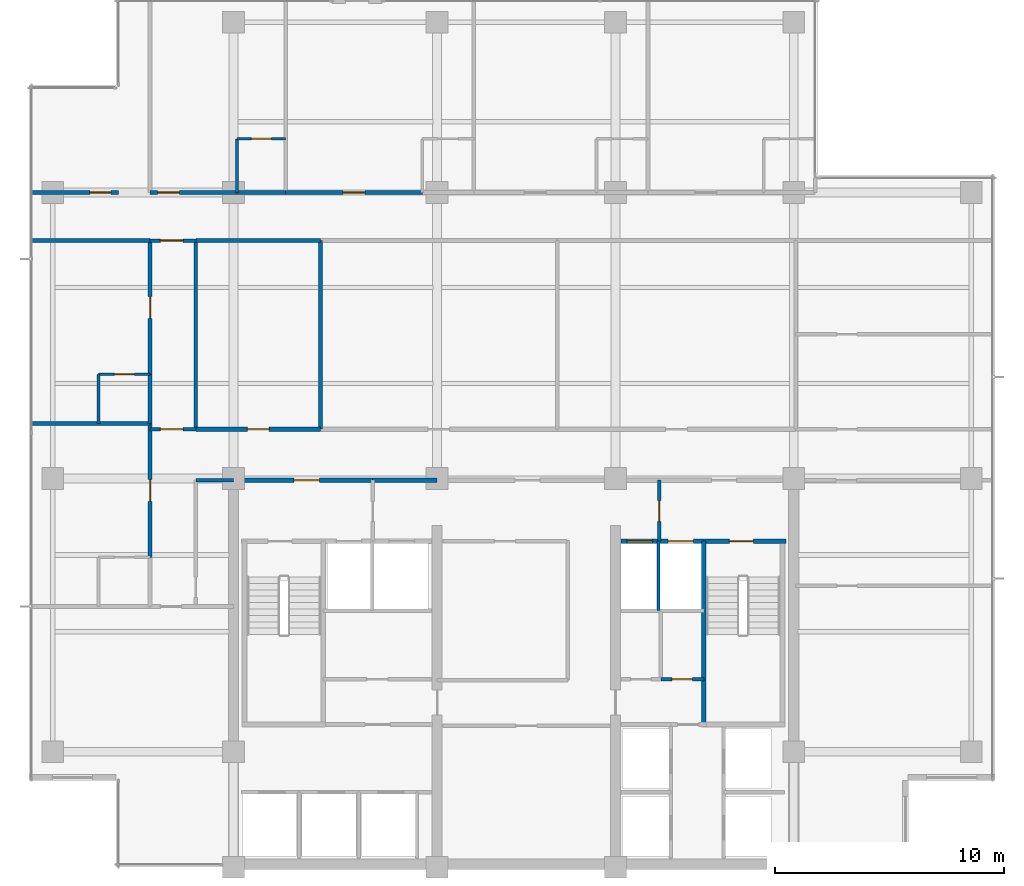
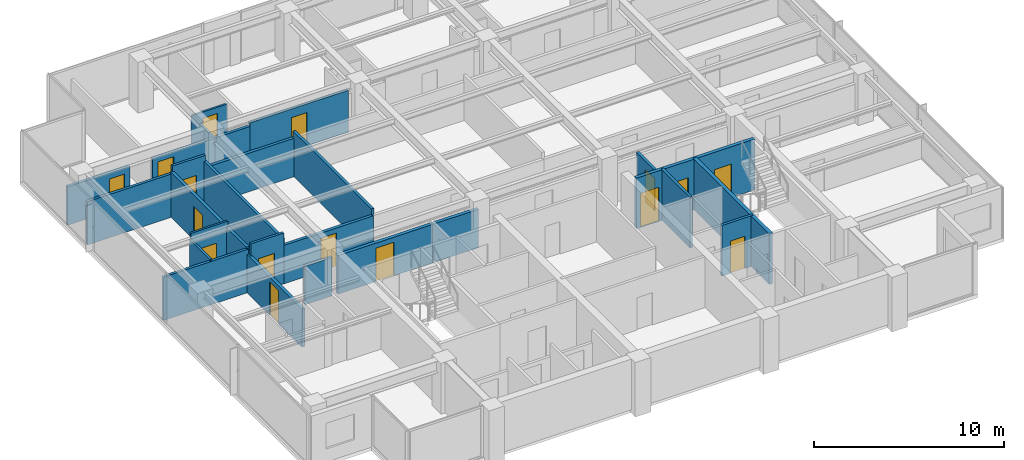
# One storey, part 8 of 14: 27 walls, 16 doors, 16 openings.
"""IFC4 building model written with IfcOpenShell, lengths in metres."""

from ifc_helpers import new_model, si_unit, direction, frame, frame_2d, origin, place, context, subcontext, project, spatial, rectangle, extrude, material, layer, layer_set, type_object, element, fill, save


model = new_model("IFC4")

# Units and contexts
model_context = context("Model", 3, precision=1e-05, world=origin(), true_north=direction((0.0, 1.0)))
body_context = subcontext(model_context, "Body", "Model", "MODEL_VIEW")
ifc_project = project(units=[si_unit("LENGTHUNIT", "METRE"), si_unit("AREAUNIT", "SQUARE_METRE"), si_unit("VOLUMEUNIT", "CUBIC_METRE"), si_unit("PLANEANGLEUNIT", "RADIAN"), si_unit("MASSUNIT", "GRAM", prefix="KILO")], contexts=[model_context])

# Site, building, storey
site_placement = place(None, origin())
site = spatial("IfcSite", under=ifc_project, at=site_placement, CompositionType="ELEMENT")
building_placement = place(site_placement, origin())
building = spatial("IfcBuilding", under=site, at=building_placement, Name="Qalmaran Belvedere Hotel", CompositionType="ELEMENT")
storey_placement = place(building_placement, frame((0.0, 0.0, 207.39990234375)))
storey = spatial("IfcBuildingStorey", under=building, at=storey_placement, Name="L52", CompositionType="ELEMENT", Elevation=207.39990234375)

# Wall, opening, door
ifc_material_1 = material(Name="Moisture-Resistant Gypsum")
ifc_layer_1 = layer(ifc_material_1, 0.1201171875, Name="Moisture-Resistant Gypsum")
ifc_layer_set_1 = layer_set([ifc_layer_1], Name="Moisture-Resistant Gypsum")
wall_type_1 = type_object("IfcWallType", Name="WL-INT-120-BATH", PredefinedType="PARTITIONING", material=ifc_layer_set_1)
wall_1_placement = place(storey_placement, frame((20.450439453125, 35.35009765625, 0.0), z_axis=(0.0, 0.0, 1.0), x_axis=(1.0, 0.0, 0.0)))
wall_1 = element("IfcWall", 1, at=wall_1_placement, inside=storey, type_object=wall_type_1, Name="L52 Partition WL-L52-NBN00", PredefinedType="PARTITIONING", context=body_context, shape_type="SweptSolid", body=[
    extrude(rectangle(XDim=2.1298828125, YDim=0.1201171875, at=frame_2d((1.06494140625, 0.0))), origin(), (0.0, 0.0, 1.0), 2.47216796875),
])
opening_1_placement = place(wall_1_placement, frame((1.5048828125, 0.0, 0.0), z_axis=(0.0, 0.0, 1.0), x_axis=(-1.0, 0.0, 0.0)))
opening_1 = element("IfcOpeningElement", 2, at=opening_1_placement, cuts=wall_1, Name="Opening D-BATH", PredefinedType="OPENING", context=body_context, shape_type="SweptSolid", body=[
    extrude(rectangle(XDim=0.8798828125, YDim=2.080078125, at=frame_2d((0.43994140625, 1.0400390625))), frame((0.0, 0.070068359375, 0.0), z_axis=(0.0, -1.0, 0.0), x_axis=(1.0, 0.0, 0.0)), (0.0, 0.0, 1.0), 0.14013671875),
])
ifc_material_2 = material(Name="Engineered Oak Veneer")
door_type_1 = type_object("IfcDoorType", Name="DR-INT-BATH-880X2080", OperationType="NOTDEFINED", PredefinedType="DOOR", material=ifc_material_2)
door_1_placement = place(opening_1_placement, origin())
door_1 = element("IfcDoor", 3, at=door_1_placement, inside=storey, type_object=door_type_1, Name="L52 Ensuite Bathroom Door N01", OperationType="SINGLE_SWING_LEFT", OverallHeight=2.080078125, OverallWidth=0.8798828125, PredefinedType="DOOR", context=body_context, shape_type="SweptSolid", body=[
    extrude(rectangle(XDim=0.8798828125, YDim=2.080078125, at=frame_2d((0.43994140625, 1.0400390625))), frame((0.0, 0.02490234375, 0.0), z_axis=(0.0, -1.0, 0.0), x_axis=(1.0, 0.0, 0.0)), (0.0, 0.0, 1.0), 0.050048828125),
])
fill(opening_1, door_1)

# Wall
wall_2_placement = place(storey_placement, frame((20.450439453125, 33.0, 0.0), z_axis=(0.0, 0.0, 1.0), x_axis=(0.0, 1.0, 0.0)))
element("IfcWall", 4, at=wall_2_placement, inside=storey, type_object=wall_type_1, Name="L52 Partition WL-L52-NBS00", PredefinedType="PARTITIONING", context=body_context, shape_type="SweptSolid", body=[
    extrude(rectangle(XDim=2.35009765625, YDim=0.1201171875, at=frame_2d((1.175048828125, 0.0))), origin(), (0.0, 0.0, 1.0), 2.47216796875),
])

# Wall, opening, door
wall_3_placement = place(storey_placement, frame((14.39990234375, 25.050048828125, 0.0), z_axis=(0.0, 0.0, 1.0), x_axis=(1.0, 0.0, 0.0)))
wall_3 = element("IfcWall", 5, at=wall_3_placement, inside=storey, type_object=wall_type_1, Name="L52 Partition WL-L52-WBN01", PredefinedType="PARTITIONING", context=body_context, shape_type="SweptSolid", body=[
    extrude(rectangle(XDim=2.25, YDim=0.1201171875, at=frame_2d((1.125, 0.0))), origin(), (0.0, 0.0, 1.0), 3.260009765625),
])
opening_2_placement = place(wall_3_placement, frame((1.56494140625, 0.0, 0.0), z_axis=(0.0, 0.0, 1.0), x_axis=(-1.0, 0.0, 0.0)))
opening_2 = element("IfcOpeningElement", 6, at=opening_2_placement, cuts=wall_3, Name="Opening D-BATH", PredefinedType="OPENING", context=body_context, shape_type="SweptSolid", body=[
    extrude(rectangle(XDim=0.8798828125, YDim=2.080078125, at=frame_2d((0.43994140625, 1.0400390625))), frame((0.0, 0.070068359375, 0.0), z_axis=(0.0, -1.0, 0.0), x_axis=(1.0, 0.0, 0.0)), (0.0, 0.0, 1.0), 0.14013671875),
])
door_2_placement = place(opening_2_placement, origin())
door_2 = element("IfcDoor", 7, at=door_2_placement, inside=storey, type_object=door_type_1, Name="L52 W Ensuite Door 02", OperationType="SINGLE_SWING_LEFT", OverallHeight=2.080078125, OverallWidth=0.8798828125, PredefinedType="DOOR", context=body_context, shape_type="SweptSolid", body=[
    extrude(rectangle(XDim=0.8798828125, YDim=2.080078125, at=frame_2d((0.43994140625, 1.0400390625))), frame((0.0, 0.02490234375, 0.0), z_axis=(0.0, -1.0, 0.0), x_axis=(1.0, 0.0, 0.0)), (0.0, 0.0, 1.0), 0.050048828125),
])
fill(opening_2, door_2)

# Walls
wall_4_placement = place(storey_placement, frame((14.39990234375, 22.89990234375, 0.0), z_axis=(0.0, 0.0, 1.0), x_axis=(0.0, 1.0, 0.0)))
element("IfcWall", 8, at=wall_4_placement, inside=storey, type_object=wall_type_1, Name="L52 Partition WL-L52-WBS01", PredefinedType="PARTITIONING", context=body_context, shape_type="SweptSolid", body=[
    extrude(rectangle(XDim=2.150146484375, YDim=0.1201171875, at=frame_2d((1.0751953125, 0.0))), origin(), (0.0, 0.0, 1.0), 2.88720703125),
])
ifc_material_3 = material(Name="Gypsum Stud Partition")
ifc_layer_2 = layer(ifc_material_3, 0.14990234375, Name="Gypsum Stud Partition")
ifc_layer_set_2 = layer_set([ifc_layer_2], Name="Gypsum Stud Partition")
wall_type_2 = type_object("IfcWallType", Name="WL-INT-150-EI120", PredefinedType="PARTITIONING", material=ifc_layer_set_2)
wall_5_placement = place(storey_placement, frame((38.8798828125, 14.719970703125, 0.0), z_axis=(0.0, 0.0, 1.0), x_axis=(0.0, 1.0, 0.0)))
element("IfcWall", 9, at=wall_5_placement, inside=storey, type_object=wall_type_2, Name="L52 Partition WL-FF2M-L52", PredefinedType="PARTITIONING", context=body_context, shape_type="SweptSolid", body=[
    extrude(rectangle(XDim=3.0400390625, YDim=0.14990234375, at=frame_2d((1.52001953125, 0.0))), origin(), (0.0, 0.0, 1.0), 3.260009765625),
])

# Wall, opening, door
ifc_layer_3 = layer(ifc_material_3, 0.14990234375, Name="Gypsum Stud Partition")
ifc_layer_set_3 = layer_set([ifc_layer_3], Name="Gypsum Stud Partition")
wall_type_3 = type_object("IfcWallType", Name="WL-INT-150-EI60", PredefinedType="PARTITIONING", material=ifc_layer_set_3)
wall_6_placement = place(storey_placement, frame((16.64990234375, 22.64990234375, 0.0), z_axis=(0.0, 0.0, 1.0), x_axis=(1.0, 0.0, 0.0)))
wall_6 = element("IfcWall", 10, at=wall_6_placement, inside=storey, type_object=wall_type_3, Name="L52 Partition WL-L52-XCW1", PredefinedType="PARTITIONING", context=body_context, shape_type="SweptSolid", body=[
    extrude(rectangle(XDim=2.0, YDim=0.14990234375, at=frame_2d((1.0, 0.0))), origin(), (0.0, 0.0, 1.0), 3.260009765625),
])
opening_3_placement = place(wall_6_placement, frame((0.449951171875, 0.0, 0.0)))
opening_3 = element("IfcOpeningElement", 11, at=opening_3_placement, cuts=wall_6, Name="Opening FD90B", PredefinedType="OPENING", context=body_context, shape_type="SweptSolid", body=[
    extrude(rectangle(XDim=1.0, YDim=2.14990234375, at=frame_2d((0.5, 1.074951171875))), frame((0.0, 0.0849609375, 0.0), z_axis=(0.0, -1.0, 0.0), x_axis=(1.0, 0.0, 0.0)), (0.0, 0.0, 1.0), 0.169921875),
])
ifc_material_4 = material(Name="Steel S355JR", Category="steel")
door_type_2 = type_object("IfcDoorType", Name="DR-FD90B-1000X2150", OperationType="NOTDEFINED", PredefinedType="DOOR", material=ifc_material_4)
door_3_placement = place(opening_3_placement, origin())
door_3 = element("IfcDoor", 12, at=door_3_placement, inside=storey, type_object=door_type_2, Name="L52 West Corridor Smoke Door S", OperationType="SINGLE_SWING_RIGHT", OverallHeight=2.14990234375, OverallWidth=1.0, PredefinedType="DOOR", context=body_context, shape_type="SweptSolid", body=[
    extrude(rectangle(XDim=1.0, YDim=2.14990234375, at=frame_2d((0.5, 1.074951171875))), frame((0.0, 0.02490234375, 0.0), z_axis=(0.0, -1.0, 0.0), x_axis=(1.0, 0.0, 0.0)), (0.0, 0.0, 1.0), 0.050048828125),
])
fill(opening_3, door_3)

wall_7_placement = place(storey_placement, frame((16.64990234375, 30.89990234375, 0.0), z_axis=(0.0, 0.0, 1.0), x_axis=(1.0, 0.0, 0.0)))
wall_7 = element("IfcWall", 13, at=wall_7_placement, inside=storey, type_object=wall_type_3, Name="L52 Partition WL-L52-XCW2", PredefinedType="PARTITIONING", context=body_context, shape_type="SweptSolid", body=[
    extrude(rectangle(XDim=2.0, YDim=0.14990234375, at=frame_2d((1.0, 0.0))), origin(), (0.0, 0.0, 1.0), 3.260009765625),
])
opening_4_placement = place(wall_7_placement, frame((0.449951171875, 0.0, 0.0)))
opening_4 = element("IfcOpeningElement", 14, at=opening_4_placement, cuts=wall_7, Name="Opening FD90B", PredefinedType="OPENING", context=body_context, shape_type="SweptSolid", body=[
    extrude(rectangle(XDim=1.0, YDim=2.14990234375, at=frame_2d((0.5, 1.074951171875))), frame((0.0, 0.0849609375, 0.0), z_axis=(0.0, -1.0, 0.0), x_axis=(1.0, 0.0, 0.0)), (0.0, 0.0, 1.0), 0.169921875),
])
door_4_placement = place(opening_4_placement, origin())
door_4 = element("IfcDoor", 15, at=door_4_placement, inside=storey, type_object=door_type_2, Name="L52 West Corridor Smoke Door N", OperationType="SINGLE_SWING_LEFT", OverallHeight=2.14990234375, OverallWidth=1.0, PredefinedType="DOOR", context=body_context, shape_type="SweptSolid", body=[
    extrude(rectangle(XDim=1.0, YDim=2.14990234375, at=frame_2d((0.5, 1.074951171875))), frame((0.0, 0.02490234375, 0.0), z_axis=(0.0, -1.0, 0.0), x_axis=(1.0, 0.0, 0.0)), (0.0, 0.0, 1.0), 0.050048828125),
])
fill(opening_4, door_4)

ifc_layer_4 = layer(ifc_material_3, 0.159912109375, Name="Gypsum Stud Partition")
ifc_layer_set_4 = layer_set([ifc_layer_4], Name="Gypsum Stud Partition")
wall_type_4 = type_object("IfcWallType", Name="WL-INT-160-EI120", PredefinedType="PARTITIONING", material=ifc_layer_set_4)
wall_8_placement = place(storey_placement, frame((38.919921875, 17.760009765625, 0.0), z_axis=(0.0, 0.0, 1.0), x_axis=(0.0, 1.0, 0.0)))
wall_8 = element("IfcWall", 16, at=wall_8_placement, inside=storey, type_object=wall_type_4, Name="L52 Partition WL-FFSV2-L52", PredefinedType="PARTITIONING", context=body_context, shape_type="SweptSolid", body=[
    extrude(rectangle(XDim=2.659912109375, YDim=0.159912109375, at=frame_2d((1.330078125, 0.0))), origin(), (0.0, 0.0, 1.0), 2.7060546875),
])
opening_5_placement = place(wall_8_placement, frame((1.77001953125, 0.0, 0.0), z_axis=(0.0, 0.0, 1.0), x_axis=(-1.0, 0.0, 0.0)))
opening_5 = element("IfcOpeningElement", 17, at=opening_5_placement, cuts=wall_8, Name="Opening FD60S1", PredefinedType="OPENING", context=body_context, shape_type="SweptSolid", body=[
    extrude(rectangle(XDim=0.919921875, YDim=2.080078125, at=frame_2d((0.4599609375, 1.0400390625))), frame((0.0, 0.08984375, 0.0), z_axis=(0.0, -1.0, 0.0), x_axis=(1.0, 0.0, 0.0)), (0.0, 0.0, 1.0), 0.179931640625),
])
door_type_3 = type_object("IfcDoorType", Name="DR-FD60S-920X2080", OperationType="NOTDEFINED", PredefinedType="DOOR", material=ifc_material_2)
door_5_placement = place(opening_5_placement, origin())
door_5 = element("IfcDoor", 18, at=door_5_placement, inside=storey, type_object=door_type_3, Name="L52 Service Lobby East Door", OperationType="SINGLE_SWING_LEFT", OverallHeight=2.080078125, OverallWidth=0.919921875, PredefinedType="DOOR", context=body_context, shape_type="SweptSolid", body=[
    extrude(rectangle(XDim=0.919921875, YDim=2.080078125, at=frame_2d((0.4599609375, 1.0400390625))), frame((0.0, 0.02490234375, 0.0), z_axis=(0.0, -1.0, 0.0), x_axis=(1.0, 0.0, 0.0)), (0.0, 0.0, 1.0), 0.050048828125),
])
fill(opening_5, door_5)

ifc_layer_5 = layer(ifc_material_3, 0.159912109375, Name="Gypsum Stud Partition")
ifc_layer_set_5 = layer_set([ifc_layer_5], Name="Gypsum Stud Partition")
wall_type_5 = type_object("IfcWallType", Name="WL-INT-160-EI60", PredefinedType="PARTITIONING", material=ifc_layer_set_5)
wall_9_placement = place(storey_placement, frame((38.98291015625, 11.719970703125, 0.0), z_axis=(0.0, 0.0, 1.0), x_axis=(1.0, 0.0, 0.0)))
wall_9 = element("IfcWall", 19, at=wall_9_placement, inside=storey, type_object=wall_type_5, Name="L52 Partition WL-L52-KEE2", PredefinedType="PARTITIONING", context=body_context, shape_type="SweptSolid", body=[
    extrude(rectangle(XDim=1.877197265625, YDim=0.159912109375, at=frame_2d((0.9384765625, 0.0))), origin(), (0.0, 0.0, 1.0), 3.260009765625),
])
opening_6_placement = place(wall_9_placement, frame((0.49853515625, 0.0, 0.0)))
opening_6 = element("IfcOpeningElement", 20, at=opening_6_placement, cuts=wall_9, Name="Opening FD60B", PredefinedType="OPENING", context=body_context, shape_type="SweptSolid", body=[
    extrude(rectangle(XDim=0.8798828125, YDim=2.080078125, at=frame_2d((0.43994140625, 1.0400390625))), frame((0.0, 0.08984375, 0.0), z_axis=(0.0, -1.0, 0.0), x_axis=(1.0, 0.0, 0.0)), (0.0, 0.0, 1.0), 0.179931640625),
])
door_type_4 = type_object("IfcDoorType", Name="DR-FD60B-880X2080", OperationType="NOTDEFINED", PredefinedType="DOOR", material=ifc_material_4)
door_6_placement = place(opening_6_placement, origin())
door_6 = element("IfcDoor", 21, at=door_6_placement, inside=storey, type_object=door_type_4, Name="L52 Low Voltage Switch Room Door", OperationType="SINGLE_SWING_LEFT", OverallHeight=2.080078125, OverallWidth=0.8798828125, PredefinedType="DOOR", context=body_context, shape_type="SweptSolid", body=[
    extrude(rectangle(XDim=0.8798828125, YDim=2.080078125, at=frame_2d((0.43994140625, 1.0400390625))), frame((0.0, 0.02490234375, 0.0), z_axis=(0.0, -1.0, 0.0), x_axis=(1.0, 0.0, 0.0)), (0.0, 0.0, 1.0), 0.050048828125),
])
fill(opening_6, door_6)

# Walls
wall_10_placement = place(storey_placement, frame((18.64990234375, 20.419921875, 0.0), z_axis=(0.0, 0.0, 1.0), x_axis=(1.0, 0.0, 0.0)))
element("IfcWall", 22, at=wall_10_placement, inside=storey, type_object=wall_type_5, Name="L52 Partition WL-L52-WCLN", PredefinedType="PARTITIONING", context=body_context, shape_type="SweptSolid", body=[
    extrude(rectangle(XDim=1.650146484375, YDim=0.159912109375, at=frame_2d((0.8251953125, 0.0))), origin(), (0.0, 0.0, 1.0), 2.47216796875),
])
for number, where, z_axis, x_axis, name in (
    (23, (18.64990234375, 22.64990234375, 0.0), (0.0, 0.0, 1.0), (0.0, 1.0, 0.0), "L52 Partition WL-L52-MIDVL"),
    (24, (24.10009765625, 22.64990234375, 0.0), (0.0, 0.0, 1.0), (0.0, 1.0, 0.0), "L52 Partition WL-L52-MIDVR1"),
):
    element("IfcWall", number, at=place(storey_placement, frame(where, z_axis=z_axis, x_axis=x_axis)), inside=storey, type_object=wall_type_5, Name=name, PredefinedType="PARTITIONING", context=body_context, shape_type="SweptSolid", body=[
        extrude(rectangle(XDim=8.25, YDim=0.159912109375, at=frame_2d((4.125, 0.0))), origin(), (0.0, 0.0, 1.0), 2.88720703125),
    ])
for number, where, z_axis, x_axis, name in (
    (25, (11.469970703125, 22.89990234375, 0.0), (0.0, 0.0, 1.0), (1.0, 0.0, 0.0), "L52 Partition WL-L52-WU00"),
    (26, (11.469970703125, 30.89990234375, 0.0), (0.0, 0.0, 1.0), (1.0, 0.0, 0.0), "L52 Partition WL-L52-WU01"),
):
    element("IfcWall", number, at=place(storey_placement, frame(where, z_axis=z_axis, x_axis=x_axis)), inside=storey, type_object=wall_type_5, Name=name, PredefinedType="PARTITIONING", context=body_context, shape_type="SweptSolid", body=[
        extrude(rectangle(XDim=5.179931640625, YDim=0.159912109375, at=frame_2d((2.58984375, 0.0))), origin(), (0.0, 0.0, 1.0), 2.781982421875),
    ])

# Wall, opening, door
ifc_layer_6 = layer(ifc_material_3, 0.179931640625, Name="Gypsum Stud Partition")
ifc_layer_set_6 = layer_set([ifc_layer_6], Name="Gypsum Stud Partition")
wall_type_6 = type_object("IfcWallType", Name="WL-INT-180-EI60", PredefinedType="PARTITIONING", material=ifc_layer_set_6)
wall_11_placement = place(storey_placement, frame((18.64990234375, 22.64990234375, 0.0), z_axis=(0.0, 0.0, 1.0), x_axis=(1.0, 0.0, 0.0)))
wall_11 = element("IfcWall", 27, at=wall_11_placement, inside=storey, type_object=wall_type_6, Name="L52 Partition WL-L52-MIDD1", PredefinedType="PARTITIONING", context=body_context, shape_type="SweptSolid", body=[
    extrude(rectangle(XDim=5.4501953125, YDim=0.179931640625, at=frame_2d((2.72509765625, 0.0))), origin(), (0.0, 0.0, 1.0), 2.47216796875),
])
opening_7_placement = place(wall_11_placement, frame((2.25, 0.0, 0.0)))
opening_7 = element("IfcOpeningElement", 28, at=opening_7_placement, cuts=wall_11, Name="Opening FD60", PredefinedType="OPENING", context=body_context, shape_type="SweptSolid", body=[
    extrude(rectangle(XDim=0.949951171875, YDim=2.14990234375, at=frame_2d((0.47509765625, 1.074951171875))), frame((0.0, 0.10009765625, 0.0), z_axis=(0.0, -1.0, 0.0), x_axis=(1.0, 0.0, 0.0)), (0.0, 0.0, 1.0), 0.199951171875),
])
door_type_5 = type_object("IfcDoorType", Name="DR-FD60-950X2150", OperationType="NOTDEFINED", PredefinedType="DOOR", material=ifc_material_2)
door_7_placement = place(opening_7_placement, origin())
door_7 = element("IfcDoor", 29, at=door_7_placement, inside=storey, type_object=door_type_5, Name="L52 Housekeeping and Linen Room Door", OperationType="SINGLE_SWING_RIGHT", OverallHeight=2.14990234375, OverallWidth=0.949951171875, PredefinedType="DOOR", context=body_context, shape_type="SweptSolid", body=[
    extrude(rectangle(XDim=0.949951171875, YDim=2.14990234375, at=frame_2d((0.47509765625, 1.074951171875))), frame((0.0, 0.02490234375, 0.0), z_axis=(0.0, -1.0, 0.0), x_axis=(1.0, 0.0, 0.0)), (0.0, 0.0, 1.0), 0.050048828125),
])
fill(opening_7, door_7)

# Walls
wall_12_placement = place(storey_placement, frame((18.64990234375, 30.89990234375, 0.0), z_axis=(0.0, 0.0, 1.0), x_axis=(1.0, 0.0, 0.0)))
element("IfcWall", 30, at=wall_12_placement, inside=storey, type_object=wall_type_6, Name="L52 Partition WL-L52-MIDO1", PredefinedType="PARTITIONING", context=body_context, shape_type="SweptSolid", body=[
    extrude(rectangle(XDim=5.4501953125, YDim=0.179931640625, at=frame_2d((2.72509765625, 0.0))), origin(), (0.0, 0.0, 1.0), 2.47216796875),
])
wall_13_placement = place(storey_placement, frame((20.450439453125, 33.0, 0.0), z_axis=(0.0, 0.0, 1.0), x_axis=(1.0, 0.0, 0.0)))
element("IfcWall", 31, at=wall_13_placement, inside=storey, type_object=wall_type_6, Name="L52 Partition WL-L52-NBC00", PredefinedType="PARTITIONING", context=body_context, shape_type="SweptSolid", body=[
    extrude(rectangle(XDim=2.1298828125, YDim=0.179931640625, at=frame_2d((1.06494140625, 0.0))), origin(), (0.0, 0.0, 1.0), 2.47216796875),
])

# Wall, opening, door
wall_14_placement = place(storey_placement, frame((16.64990234375, 33.0, 0.0), z_axis=(0.0, 0.0, 1.0), x_axis=(1.0, 0.0, 0.0)))
wall_14 = element("IfcWall", 32, at=wall_14_placement, inside=storey, type_object=wall_type_6, Name="L52 Partition WL-L52-NEC00", PredefinedType="PARTITIONING", context=body_context, shape_type="SweptSolid", body=[
    extrude(rectangle(XDim=3.800537109375, YDim=0.179931640625, at=frame_2d((1.900390625, 0.0))), origin(), (0.0, 0.0, 1.0), 2.47216796875),
])
opening_8_placement = place(wall_14_placement, frame((0.334716796875, 0.0, 0.0)))
opening_8 = element("IfcOpeningElement", 33, at=opening_8_placement, cuts=wall_14, Name="Opening FD60", PredefinedType="OPENING", context=body_context, shape_type="SweptSolid", body=[
    extrude(rectangle(XDim=0.949951171875, YDim=2.14990234375, at=frame_2d((0.47509765625, 1.074951171875))), frame((0.0, 0.10009765625, 0.0), z_axis=(0.0, -1.0, 0.0), x_axis=(1.0, 0.0, 0.0)), (0.0, 0.0, 1.0), 0.199951171875),
])
door_8_placement = place(opening_8_placement, origin())
door_8 = element("IfcDoor", 34, at=door_8_placement, inside=storey, type_object=door_type_5, Name="L52 Guest Entrance Door N01", OperationType="SINGLE_SWING_RIGHT", OverallHeight=2.14990234375, OverallWidth=0.949951171875, PredefinedType="DOOR", context=body_context, shape_type="SweptSolid", body=[
    extrude(rectangle(XDim=0.949951171875, YDim=2.14990234375, at=frame_2d((0.47509765625, 1.074951171875))), frame((0.0, 0.02490234375, 0.0), z_axis=(0.0, -1.0, 0.0), x_axis=(1.0, 0.0, 0.0)), (0.0, 0.0, 1.0), 0.050048828125),
])
fill(opening_8, door_8)

wall_15_placement = place(storey_placement, frame((22.580322265625, 33.0, 0.0), z_axis=(0.0, 0.0, 1.0), x_axis=(1.0, 0.0, 0.0)))
wall_15 = element("IfcWall", 35, at=wall_15_placement, inside=storey, type_object=wall_type_6, Name="L52 Partition WL-L52-NEC01", PredefinedType="PARTITIONING", context=body_context, shape_type="SweptSolid", body=[
    extrude(rectangle(XDim=5.974365234375, YDim=0.179931640625, at=frame_2d((2.9873046875, 0.0))), origin(), (0.0, 0.0, 1.0), 2.7060546875),
])
opening_9_placement = place(wall_15_placement, frame((2.51220703125, 0.0, 0.0)))
opening_9 = element("IfcOpeningElement", 36, at=opening_9_placement, cuts=wall_15, Name="Opening FD60", PredefinedType="OPENING", context=body_context, shape_type="SweptSolid", body=[
    extrude(rectangle(XDim=0.949951171875, YDim=2.14990234375, at=frame_2d((0.47509765625, 1.074951171875))), frame((0.0, 0.10009765625, 0.0), z_axis=(0.0, -1.0, 0.0), x_axis=(1.0, 0.0, 0.0)), (0.0, 0.0, 1.0), 0.199951171875),
])
door_9_placement = place(opening_9_placement, origin())
door_9 = element("IfcDoor", 37, at=door_9_placement, inside=storey, type_object=door_type_5, Name="L52 Guest Entrance Door N02", OperationType="SINGLE_SWING_RIGHT", OverallHeight=2.14990234375, OverallWidth=0.949951171875, PredefinedType="DOOR", context=body_context, shape_type="SweptSolid", body=[
    extrude(rectangle(XDim=0.949951171875, YDim=2.14990234375, at=frame_2d((0.47509765625, 1.074951171875))), frame((0.0, 0.02490234375, 0.0), z_axis=(0.0, -1.0, 0.0), x_axis=(1.0, 0.0, 0.0)), (0.0, 0.0, 1.0), 0.050048828125),
])
fill(opening_9, door_9)

wall_16_placement = place(storey_placement, frame((16.64990234375, 17.050048828125, 0.0), z_axis=(0.0, 0.0, 1.0), x_axis=(0.0, 1.0, 0.0)))
wall_16 = element("IfcWall", 38, at=wall_16_placement, inside=storey, type_object=wall_type_6, Name="L52 Partition WL-L52-WEC00", PredefinedType="PARTITIONING", context=body_context, shape_type="SweptSolid", body=[
    extrude(rectangle(XDim=5.849853515625, YDim=0.179931640625, at=frame_2d((2.9248046875, 0.0))), origin(), (0.0, 0.0, 1.0), 2.47216796875),
])
opening_10_placement = place(wall_16_placement, frame((2.449951171875, 0.0, 0.0)))
opening_10 = element("IfcOpeningElement", 39, at=opening_10_placement, cuts=wall_16, Name="Opening FD60", PredefinedType="OPENING", context=body_context, shape_type="SweptSolid", body=[
    extrude(rectangle(XDim=0.949951171875, YDim=2.14990234375, at=frame_2d((0.47509765625, 1.074951171875))), frame((0.0, 0.10009765625, 0.0), z_axis=(0.0, -1.0, 0.0), x_axis=(1.0, 0.0, 0.0)), (0.0, 0.0, 1.0), 0.199951171875),
])
door_10_placement = place(opening_10_placement, origin())
door_10 = element("IfcDoor", 40, at=door_10_placement, inside=storey, type_object=door_type_5, Name="L52 W Wing Door 01", OperationType="SINGLE_SWING_RIGHT", OverallHeight=2.14990234375, OverallWidth=0.949951171875, PredefinedType="DOOR", context=body_context, shape_type="SweptSolid", body=[
    extrude(rectangle(XDim=0.949951171875, YDim=2.14990234375, at=frame_2d((0.47509765625, 1.074951171875))), frame((0.0, 0.02490234375, 0.0), z_axis=(0.0, -1.0, 0.0), x_axis=(1.0, 0.0, 0.0)), (0.0, 0.0, 1.0), 0.050048828125),
])
fill(opening_10, door_10)

# Wall
wall_17_placement = place(storey_placement, frame((16.64990234375, 22.89990234375, 0.0), z_axis=(0.0, 0.0, 1.0), x_axis=(0.0, 1.0, 0.0)))
element("IfcWall", 41, at=wall_17_placement, inside=storey, type_object=wall_type_6, Name="L52 Partition WL-L52-WBC01", PredefinedType="PARTITIONING", context=body_context, shape_type="SweptSolid", body=[
    extrude(rectangle(XDim=2.150146484375, YDim=0.179931640625, at=frame_2d((1.0751953125, 0.0))), origin(), (0.0, 0.0, 1.0), 2.88720703125),
])

# Wall, opening, door
wall_18_placement = place(storey_placement, frame((16.64990234375, 25.050048828125, 0.0), z_axis=(0.0, 0.0, 1.0), x_axis=(0.0, 1.0, 0.0)))
wall_18 = element("IfcWall", 42, at=wall_18_placement, inside=storey, type_object=wall_type_6, Name="L52 Partition WL-L52-WEC01", PredefinedType="PARTITIONING", context=body_context, shape_type="SweptSolid", body=[
    extrude(rectangle(XDim=5.849853515625, YDim=0.179931640625, at=frame_2d((2.9248046875, 0.0))), origin(), (0.0, 0.0, 1.0), 2.88720703125),
])
opening_11_placement = place(wall_18_placement, frame((2.449951171875, 0.0, 0.0)))
opening_11 = element("IfcOpeningElement", 43, at=opening_11_placement, cuts=wall_18, Name="Opening FD60", PredefinedType="OPENING", context=body_context, shape_type="SweptSolid", body=[
    extrude(rectangle(XDim=0.949951171875, YDim=2.14990234375, at=frame_2d((0.47509765625, 1.074951171875))), frame((0.0, 0.10009765625, 0.0), z_axis=(0.0, -1.0, 0.0), x_axis=(1.0, 0.0, 0.0)), (0.0, 0.0, 1.0), 0.199951171875),
])
door_11_placement = place(opening_11_placement, origin())
door_11 = element("IfcDoor", 44, at=door_11_placement, inside=storey, type_object=door_type_5, Name="L52 W Wing Door 02", OperationType="SINGLE_SWING_RIGHT", OverallHeight=2.14990234375, OverallWidth=0.949951171875, PredefinedType="DOOR", context=body_context, shape_type="SweptSolid", body=[
    extrude(rectangle(XDim=0.949951171875, YDim=2.14990234375, at=frame_2d((0.47509765625, 1.074951171875))), frame((0.0, 0.02490234375, 0.0), z_axis=(0.0, -1.0, 0.0), x_axis=(1.0, 0.0, 0.0)), (0.0, 0.0, 1.0), 0.050048828125),
])
fill(opening_11, door_11)

wall_19_placement = place(storey_placement, frame((11.469970703125, 33.0, 0.0), z_axis=(0.0, 0.0, 1.0), x_axis=(1.0, 0.0, 0.0)))
wall_19 = element("IfcWall", 45, at=wall_19_placement, inside=storey, type_object=wall_type_6, Name="L52 Partition WL-L52-NWSD", PredefinedType="PARTITIONING", context=body_context, shape_type="SweptSolid", body=[
    extrude(rectangle(XDim=3.800048828125, YDim=0.179931640625, at=frame_2d((1.89990234375, 0.0))), origin(), (0.0, 0.0, 1.0), 2.47216796875),
])
opening_12_placement = place(wall_19_placement, frame((2.543701171875, 0.0, 0.0)))
opening_12 = element("IfcOpeningElement", 46, at=opening_12_placement, cuts=wall_19, Name="Opening FD60S1", PredefinedType="OPENING", context=body_context, shape_type="SweptSolid", body=[
    extrude(rectangle(XDim=0.919921875, YDim=2.080078125, at=frame_2d((0.4599609375, 1.0400390625))), frame((0.0, 0.10009765625, 0.0), z_axis=(0.0, -1.0, 0.0), x_axis=(1.0, 0.0, 0.0)), (0.0, 0.0, 1.0), 0.199951171875),
])
door_12_placement = place(opening_12_placement, origin())
door_12 = element("IfcDoor", 47, at=door_12_placement, inside=storey, type_object=door_type_3, Name="L52 NW Belvedere Study Door", OperationType="SINGLE_SWING_LEFT", OverallHeight=2.080078125, OverallWidth=0.919921875, PredefinedType="DOOR", context=body_context, shape_type="SweptSolid", body=[
    extrude(rectangle(XDim=0.919921875, YDim=2.080078125, at=frame_2d((0.4599609375, 1.0400390625))), frame((0.0, 0.02490234375, 0.0), z_axis=(0.0, -1.0, 0.0), x_axis=(1.0, 0.0, 0.0)), (0.0, 0.0, 1.0), 0.050048828125),
])
fill(opening_12, door_12)

ifc_material_5 = material(Name="Concrete C30/37 Blockwork", Category="masonry")
ifc_layer_7 = layer(ifc_material_5, 0.199951171875, Name="Concrete C30/37 Blockwork")
ifc_layer_set_7 = layer_set([ifc_layer_7], Name="Concrete C30/37 Blockwork")
wall_type_7 = type_object("IfcWallType", Name="WL-INT-200-EI120", PredefinedType="PARTITIONING", material=ifc_layer_set_7)
wall_20_placement = place(storey_placement, frame((20.64990234375, 20.419921875, 0.0), z_axis=(0.0, 0.0, 1.0), x_axis=(1.0, 0.0, 0.0)))
wall_20 = element("IfcWall", 48, at=wall_20_placement, inside=storey, type_object=wall_type_7, Name="L52 Partition WL-CN1A-L52", PredefinedType="PARTITIONING", context=body_context, shape_type="SweptSolid", body=[
    extrude(rectangle(XDim=5.72998046875, YDim=0.199951171875, at=frame_2d((2.864990234375, 0.0))), origin(), (0.0, 0.0, 1.0), 2.47216796875),
])
opening_13_placement = place(wall_20_placement, frame((2.300048828125, 0.0, 0.0)))
opening_13 = element("IfcOpeningElement", 49, at=opening_13_placement, cuts=wall_20, Name="Opening FD90", PredefinedType="OPENING", context=body_context, shape_type="SweptSolid", body=[
    extrude(rectangle(XDim=1.10009765625, YDim=2.14990234375, at=frame_2d((0.550048828125, 1.074951171875))), frame((0.0, 0.10986328125, 0.0), z_axis=(0.0, -1.0, 0.0), x_axis=(1.0, 0.0, 0.0)), (0.0, 0.0, 1.0), 0.219970703125),
])
door_type_6 = type_object("IfcDoorType", Name="DR-FD90-1100X2150", OperationType="NOTDEFINED", PredefinedType="DOOR", material=ifc_material_4)
door_13_placement = place(opening_13_placement, origin())
door_13 = element("IfcDoor", 50, at=door_13_placement, inside=storey, type_object=door_type_6, Name="L52 FF1 Lobby Corridor Door", OperationType="SINGLE_SWING_RIGHT", OverallHeight=2.14990234375, OverallWidth=1.10009765625, PredefinedType="DOOR", context=body_context, shape_type="SweptSolid", body=[
    extrude(rectangle(XDim=1.10009765625, YDim=2.14990234375, at=frame_2d((0.550048828125, 1.074951171875))), frame((0.0, 0.02490234375, 0.0), z_axis=(0.0, -1.0, 0.0), x_axis=(1.0, 0.0, 0.0)), (0.0, 0.0, 1.0), 0.050048828125),
])
fill(opening_13, door_13)

# Walls
wall_21_placement = place(storey_placement, frame((26.3798828125, 20.419921875, 0.0), z_axis=(0.0, 0.0, 1.0), x_axis=(1.0, 0.0, 0.0)))
element("IfcWall", 51, at=wall_21_placement, inside=storey, type_object=wall_type_7, Name="L52 Partition WL-CN1B-L52", PredefinedType="PARTITIONING", context=body_context, shape_type="SweptSolid", body=[
    extrude(rectangle(XDim=2.820068359375, YDim=0.199951171875, at=frame_2d((1.41015625, 0.0))), origin(), (0.0, 0.0, 1.0), 2.47216796875),
])
ifc_material_6 = material(Name="Concrete C50/60", Category="concrete")
ifc_layer_8 = layer(ifc_material_6, 0.2099609375, Name="Concrete C50/60")
ifc_layer_set_8 = layer_set([ifc_layer_8], Name="Concrete C50/60")
wall_type_8 = type_object("IfcWallType", Name="WL-STAIR-210-C50", PredefinedType="SHEAR", material=ifc_layer_set_8)
wall_22_placement = place(storey_placement, frame((40.85498046875, 9.7451171875, 0.0), z_axis=(0.0, 0.0, 1.0), x_axis=(0.0, 1.0, 0.0)))
element("IfcWall", 52, at=wall_22_placement, inside=storey, type_object=wall_type_8, Name="L52 Stair ST-2 West Bearing Wall", PredefinedType="SHEAR", context=body_context, shape_type="SweptSolid", body=[
    extrude(rectangle(XDim=8.009765625, YDim=0.2099609375, at=frame_2d((4.0048828125, 0.0))), origin(), (0.0, 0.0, 1.0), 3.260009765625),
])

# Wall, openings, doors
wall_23_placement = place(storey_placement, frame((37.25, 17.7548828125, 0.0), z_axis=(0.0, 0.0, 1.0), x_axis=(1.0, 0.0, 0.0)))
wall_23 = element("IfcWall", 53, at=wall_23_placement, inside=storey, type_object=wall_type_8, Name="L52 East Lobby and Stair ST-2 North Bearing Wall", PredefinedType="SHEAR", context=body_context, shape_type="SweptSolid", body=[
    extrude(rectangle(XDim=7.199951171875, YDim=0.2099609375, at=frame_2d((3.60009765625, 0.0))), origin(), (0.0, 0.0, 1.0), 3.260009765625),
])
opening_14_placement = place(wall_23_placement, frame((0.25, 0.0, 0.0)))
opening_14 = element("IfcOpeningElement", 54, at=opening_14_placement, cuts=wall_23, Name="Opening LD-SV", PredefinedType="OPENING", context=body_context, shape_type="SweptSolid", body=[
    extrude(rectangle(XDim=1.1201171875, YDim=2.199951171875, at=frame_2d((0.56005859375, 1.10009765625))), frame((0.0, 0.114990234375, 0.0), z_axis=(0.0, -1.0, 0.0), x_axis=(1.0, 0.0, 0.0)), (0.0, 0.0, 1.0), 0.22998046875),
])
opening_15_placement = place(wall_23_placement, frame((2.050048828125, 0.0, 0.0)))
opening_15 = element("IfcOpeningElement", 55, at=opening_15_placement, cuts=wall_23, Name="Opening LD-FF", PredefinedType="OPENING", context=body_context, shape_type="SweptSolid", body=[
    extrude(rectangle(XDim=1.10009765625, YDim=2.179931640625, at=frame_2d((0.550048828125, 1.08984375))), frame((0.0, 0.114990234375, 0.0), z_axis=(0.0, -1.0, 0.0), x_axis=(1.0, 0.0, 0.0)), (0.0, 0.0, 1.0), 0.22998046875),
])
opening_16_placement = place(wall_23_placement, frame((5.780029296875, 0.0, 0.0), z_axis=(0.0, 0.0, 1.0), x_axis=(-1.0, 0.0, 0.0)))
opening_16 = element("IfcOpeningElement", 56, at=opening_16_placement, cuts=wall_23, Name="Opening FD90S2", PredefinedType="OPENING", context=body_context, shape_type="SweptSolid", body=[
    extrude(rectangle(XDim=1.050048828125, YDim=2.14990234375, at=frame_2d((0.52490234375, 1.074951171875))), frame((0.0, 0.114990234375, 0.0), z_axis=(0.0, -1.0, 0.0), x_axis=(1.0, 0.0, 0.0)), (0.0, 0.0, 1.0), 0.22998046875),
])
door_type_7 = type_object("IfcDoorType", Name="DR-FD90S-1050X2150", OperationType="NOTDEFINED", PredefinedType="DOOR", material=ifc_material_4)
door_14_placement = place(opening_16_placement, origin())
door_14 = element("IfcDoor", 57, at=door_14_placement, inside=storey, type_object=door_type_7, Name="L52 Stair ST-2 Door", OperationType="SINGLE_SWING_LEFT", OverallHeight=2.14990234375, OverallWidth=1.050048828125, PredefinedType="DOOR", context=body_context, shape_type="SweptSolid", body=[
    extrude(rectangle(XDim=1.050048828125, YDim=2.14990234375, at=frame_2d((0.52490234375, 1.074951171875))), frame((0.0, 0.02490234375, 0.0), z_axis=(0.0, -1.0, 0.0), x_axis=(1.0, 0.0, 0.0)), (0.0, 0.0, 1.0), 0.050048828125),
])
fill(opening_16, door_14)
ifc_material_7 = material(Name="Stainless Steel 1.4401", Category="steel")
door_type_8 = type_object("IfcDoorType", Name="DR-LIFT-FF-1100X2180", OperationType="DOUBLE_DOOR_SLIDING", PredefinedType="DOOR", material=ifc_material_7)
door_15_placement = place(opening_15_placement, origin())
door_15 = element("IfcDoor", 58, at=door_15_placement, inside=storey, type_object=door_type_8, Name="L52 FF2 Lift Landing Door", OperationType="DOUBLE_DOOR_SLIDING", OverallHeight=2.179931640625, OverallWidth=1.10009765625, PredefinedType="DOOR", context=body_context, shape_type="SweptSolid", body=[
    extrude(rectangle(XDim=1.10009765625, YDim=2.179931640625, at=frame_2d((0.550048828125, 1.08984375))), frame((0.0, 0.02490234375, 0.0), z_axis=(0.0, -1.0, 0.0), x_axis=(1.0, 0.0, 0.0)), (0.0, 0.0, 1.0), 0.050048828125),
])
fill(opening_15, door_15)
door_type_9 = type_object("IfcDoorType", Name="DR-LIFT-SV-1120X2200", OperationType="DOUBLE_DOOR_SLIDING", PredefinedType="DOOR", material=ifc_material_7)
door_16_placement = place(opening_14_placement, origin())
door_16 = element("IfcDoor", 59, at=door_16_placement, inside=storey, type_object=door_type_9, Name="L52 SV2 Lift Landing Door", OperationType="DOUBLE_DOOR_SLIDING", OverallHeight=2.199951171875, OverallWidth=1.1201171875, PredefinedType="DOOR", context=body_context, shape_type="SweptSolid", body=[
    extrude(rectangle(XDim=1.1201171875, YDim=2.199951171875, at=frame_2d((0.56005859375, 1.10009765625))), frame((0.0, 0.02490234375, 0.0), z_axis=(0.0, -1.0, 0.0), x_axis=(1.0, 0.0, 0.0)), (0.0, 0.0, 1.0), 0.050048828125),
])
fill(opening_14, door_16)

save(model, "model.ifc")
